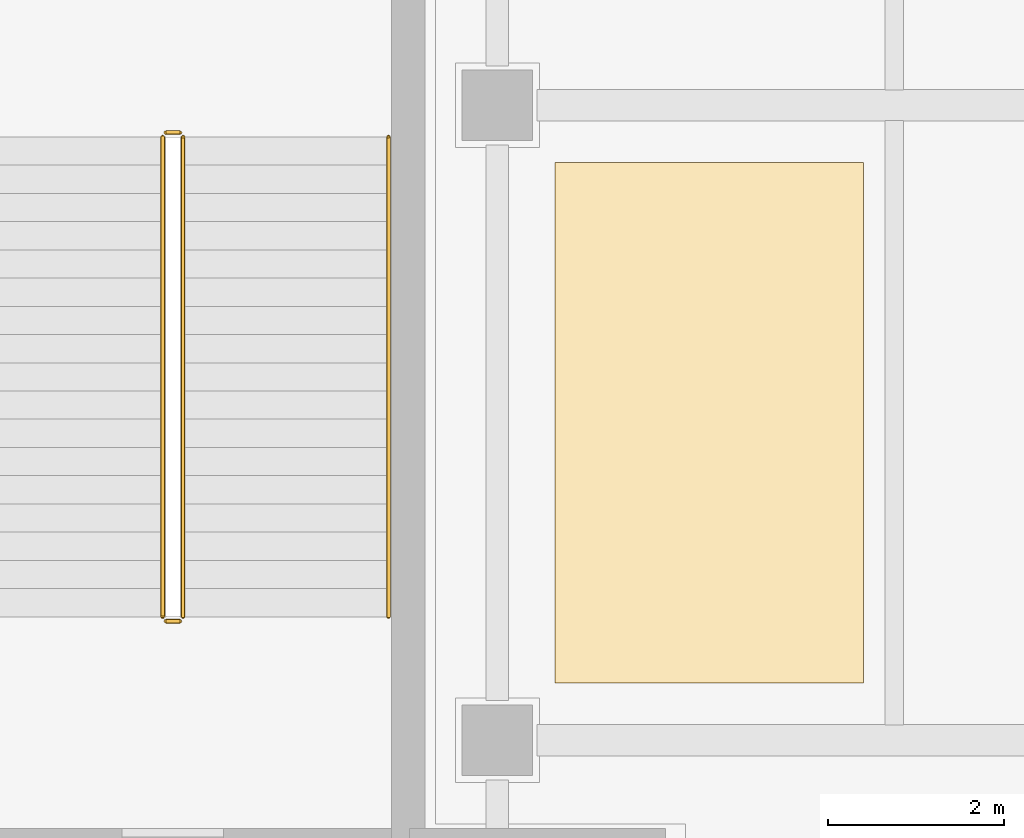
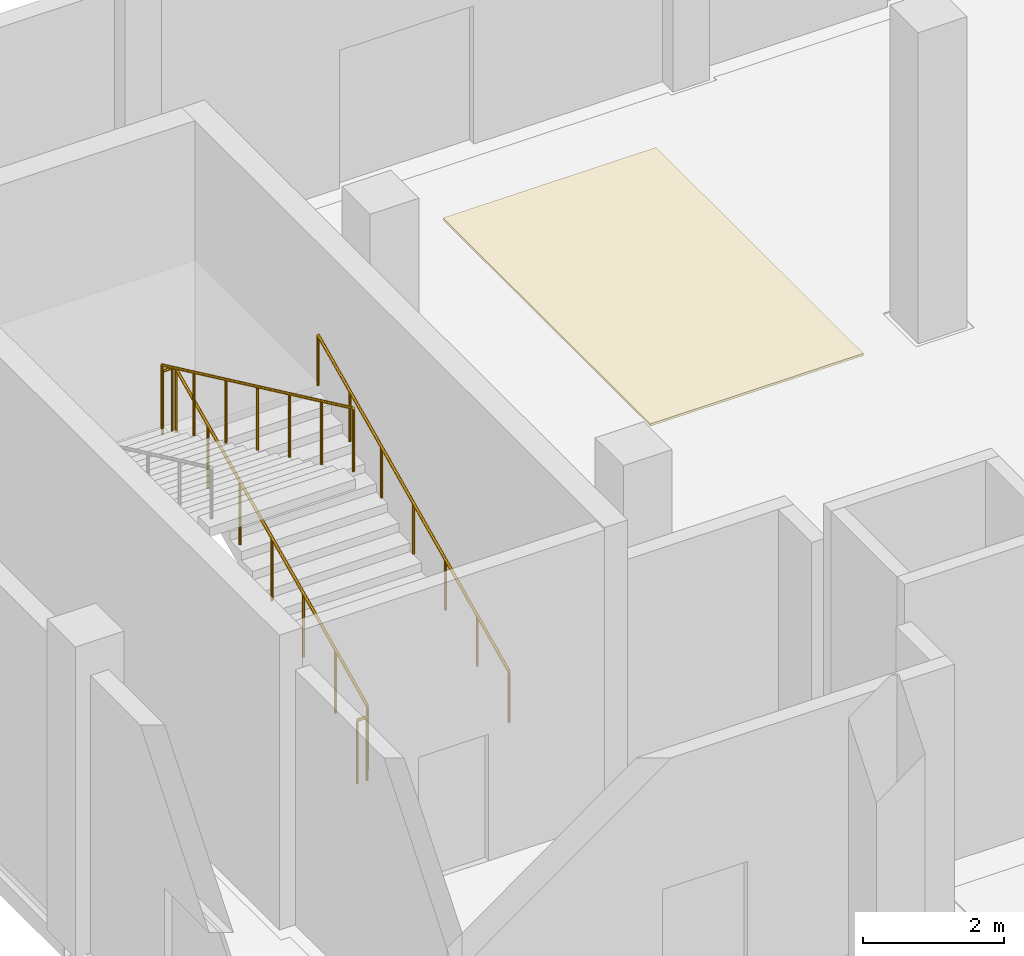
# One storey, part 128 of 137: 5 railings, 1 covering.
"""IFC4 building model written with IfcOpenShell, lengths in metres."""

from ifc_helpers import new_model, si_unit, direction, frame, origin, origin_2d, place, context, subcontext, project, spatial, polyline, circle, outline, extrude, material, layer, layer_set, type_object, element, save


model = new_model("IFC4")

# Units and contexts
model_context = context("Model", 3, precision=1e-05, world=origin(), true_north=direction((0.0, 1.0)))
body_context = subcontext(model_context, "Body", "Model", "MODEL_VIEW")
ifc_project = project(units=[si_unit("LENGTHUNIT", "METRE"), si_unit("AREAUNIT", "SQUARE_METRE"), si_unit("VOLUMEUNIT", "CUBIC_METRE"), si_unit("PLANEANGLEUNIT", "RADIAN"), si_unit("MASSUNIT", "GRAM", prefix="KILO")], contexts=[model_context])

# Site, building, storey
site_placement = place(None, origin())
site = spatial("IfcSite", under=ifc_project, at=site_placement, CompositionType="ELEMENT")
building_placement = place(site_placement, origin())
building = spatial("IfcBuilding", under=site, at=building_placement, Name="Celestram Park Convention Centre", CompositionType="ELEMENT")
storey_placement = place(building_placement, origin())
storey = spatial("IfcBuildingStorey", under=building, at=storey_placement, Name="L00", CompositionType="ELEMENT", Elevation=0.0)

# Covering
ifc_material_1 = material(Name="Perforated Acoustic Mineral-Fibre Baffle Ceiling", Category="gypsum")
ifc_layer_1 = layer(ifc_material_1, 0.0400390625)
ifc_layer_set_1 = layer_set([ifc_layer_1], Name="Perforated Acoustic Mineral-Fibre Baffle Ceiling")
covering_type = type_object("IfcCoveringType", Name="ARC-COV-CLG040", PredefinedType="CEILING", material=ifc_layer_set_1)
covering_placement = place(storey_placement, frame((0.0, 0.0, 5.080078125)))
element("IfcCovering", 1, at=covering_placement, inside=storey, type_object=covering_type, Name="North Elevator Lobby L00 acoustic baffle ceiling", PredefinedType="CEILING", context=body_context, shape_type="SweptSolid", body=[
    extrude(outline(polyline([(45.64990234375, 151.85009765625), (49.14990234375, 151.85009765625), (49.14990234375, 157.75), (45.64990234375, 157.75), (45.64990234375, 151.85009765625)])), origin(), (0.0, 0.0, 1.0), 0.0400390625),
])

# Railings
ifc_material_2 = material(Name="Stainless Steel AISI 316L & Laminated Glass", Category="steel")
ifc_layer_2 = layer(ifc_material_2, 0.06005859375)
ifc_layer_set_2 = layer_set([ifc_layer_2], Name="Stainless Steel AISI 316L & Laminated Glass")
railing_type_1 = type_object("IfcRailingType", Name="ARC-RL-GRD1120", PredefinedType="GUARDRAIL", material=ifc_layer_set_2)
railing_1_placement = place(storey_placement, frame((41.43603515625, 152.60009765625, 0.14990234375)))
element("IfcRailing", 2, at=railing_1_placement, inside=storey, type_object=railing_type_1, Name="L00 ST-01 stair guard 1", PredefinedType="GUARDRAIL", context=body_context, shape_type="SweptSolid", body=[
    extrude(circle(Radius=0.02392578125, at=origin_2d()), frame((0.0, 0.0, 1.09619140625), z_axis=(0.0, 0.90545405566, 0.424444287379), x_axis=(-1.0, 0.0, 0.0)), (0.0, 0.0, 1.0), 6.008056640625),
    extrude(circle(Radius=0.02099609375, at=origin_2d()), origin(), (0.0, 0.0, 1.0), 1.072021484375),
    extrude(circle(Radius=0.02099609375, at=origin_2d()), frame((0.0, 0.90673828125, 0.425048828125)), (0.0, 0.0, 1.0), 1.072021484375),
    extrude(circle(Radius=0.02099609375, at=origin_2d()), frame((0.0, 1.813232421875, 0.85009765625)), (0.0, 0.0, 1.0), 1.072021484375),
    extrude(circle(Radius=0.02099609375, at=origin_2d()), frame((0.0, 2.719970703125, 1.27490234375)), (0.0, 0.0, 1.0), 1.072021484375),
    extrude(circle(Radius=0.02099609375, at=origin_2d()), frame((0.0, 3.626708984375, 1.699951171875)), (0.0, 0.0, 1.0), 1.072021484375),
    extrude(circle(Radius=0.02099609375, at=origin_2d()), frame((0.0, 4.533203125, 2.125)), (0.0, 0.0, 1.0), 1.072021484375),
    extrude(circle(Radius=0.02099609375, at=origin_2d()), frame((0.0, 5.43994140625, 2.550048828125)), (0.0, 0.0, 1.0), 1.072021484375),
])
railing_2_placement = place(storey_placement, frame((41.39990234375, 158.090087890625, 2.699951171875)))
element("IfcRailing", 3, at=railing_2_placement, inside=storey, type_object=railing_type_1, Name="L00 ST-01 stair guard 2", PredefinedType="GUARDRAIL", context=body_context, shape_type="SweptSolid", body=[
    extrude(circle(Radius=0.02392578125, at=origin_2d()), frame((0.0, 0.0, 1.09619140625), z_axis=(-1.0, 0.0, 0.0), x_axis=(0.0, -1.0, 0.0)), (0.0, 0.0, 1.0), 0.159912109375),
    extrude(circle(Radius=0.02099609375, at=origin_2d()), origin(), (0.0, 0.0, 1.0), 1.072021484375),
    extrude(circle(Radius=0.02099609375, at=origin_2d()), frame((-0.159912109375, 0.0, 0.0)), (0.0, 0.0, 1.0), 1.072021484375),
])
railing_3_placement = place(storey_placement, frame((41.2041015625, 158.0400390625, 2.85009765625)))
element("IfcRailing", 4, at=railing_3_placement, inside=storey, type_object=railing_type_1, Name="L00 ST-01 stair guard 3", PredefinedType="GUARDRAIL", context=body_context, shape_type="SweptSolid", body=[
    extrude(circle(Radius=0.02392578125, at=origin_2d()), frame((0.0, 0.0, 1.09619140625), z_axis=(0.0, -0.90546967238, 0.424410971113), x_axis=(1.0, 0.0, 0.0)), (0.0, 0.0, 1.0), 6.0078125),
    extrude(circle(Radius=0.02099609375, at=origin_2d()), origin(), (0.0, 0.0, 1.0), 1.072021484375),
    extrude(circle(Radius=0.02099609375, at=origin_2d()), frame((0.0, -0.90673828125, 0.425048828125)), (0.0, 0.0, 1.0), 1.072021484375),
    extrude(circle(Radius=0.02099609375, at=origin_2d()), frame((0.0, -1.813232421875, 0.849853515625)), (0.0, 0.0, 1.0), 1.072021484375),
    extrude(circle(Radius=0.02099609375, at=origin_2d()), frame((0.0, -2.719970703125, 1.27490234375)), (0.0, 0.0, 1.0), 1.072021484375),
    extrude(circle(Radius=0.02099609375, at=origin_2d()), frame((0.0, -3.626708984375, 1.699951171875)), (0.0, 0.0, 1.0), 1.072021484375),
    extrude(circle(Radius=0.02099609375, at=origin_2d()), frame((0.0, -4.533203125, 2.124755859375)), (0.0, 0.0, 1.0), 1.072021484375),
    extrude(circle(Radius=0.02099609375, at=origin_2d()), frame((0.0, -5.43994140625, 2.5498046875)), (0.0, 0.0, 1.0), 1.072021484375),
])
railing_4_placement = place(storey_placement, frame((41.39990234375, 152.550048828125, 0.0)))
element("IfcRailing", 5, at=railing_4_placement, inside=storey, type_object=railing_type_1, Name="L00 ST-01 stair guard 4", PredefinedType="GUARDRAIL", context=body_context, shape_type="SweptSolid", body=[
    extrude(circle(Radius=0.02392578125, at=origin_2d()), frame((0.0, 0.0, 1.09619140625), z_axis=(-1.0, 0.0, 0.0), x_axis=(0.0, -1.0, 0.0)), (0.0, 0.0, 1.0), 0.159912109375),
    extrude(circle(Radius=0.02099609375, at=origin_2d()), origin(), (0.0, 0.0, 1.0), 1.072021484375),
    extrude(circle(Radius=0.02099609375, at=origin_2d()), frame((-0.159912109375, 0.0, 0.0)), (0.0, 0.0, 1.0), 1.072021484375),
])
ifc_material_3 = material(Name="Brushed Stainless Steel AISI 304", Category="steel")
ifc_layer_3 = layer(ifc_material_3, 0.048095703125)
ifc_layer_set_3 = layer_set([ifc_layer_3], Name="Brushed Stainless Steel AISI 304")
railing_type_2 = type_object("IfcRailingType", Name="ARC-RL-HND915", PredefinedType="HANDRAIL", material=ifc_layer_set_3)
railing_5_placement = place(storey_placement, frame((43.763916015625, 152.60009765625, 0.14990234375)))
element("IfcRailing", 6, at=railing_5_placement, inside=storey, type_object=railing_type_2, Name="L00 ST-01 stair handrail 1", PredefinedType="HANDRAIL", context=body_context, shape_type="SweptSolid", body=[
    extrude(circle(Radius=0.02392578125, at=origin_2d()), frame((0.0, 0.0, 0.8759765625), z_axis=(0.0, 0.90545405566, 0.424444287379), x_axis=(-1.0, 0.0, 0.0)), (0.0, 0.0, 1.0), 6.008056640625),
    extrude(circle(Radius=0.02099609375, at=origin_2d()), origin(), (0.0, 0.0, 1.0), 0.851806640625),
    extrude(circle(Radius=0.02099609375, at=origin_2d()), frame((0.0, 0.90673828125, 0.425048828125)), (0.0, 0.0, 1.0), 0.851806640625),
    extrude(circle(Radius=0.02099609375, at=origin_2d()), frame((0.0, 1.813232421875, 0.85009765625)), (0.0, 0.0, 1.0), 0.851806640625),
    extrude(circle(Radius=0.02099609375, at=origin_2d()), frame((0.0, 2.719970703125, 1.27490234375)), (0.0, 0.0, 1.0), 0.851806640625),
    extrude(circle(Radius=0.02099609375, at=origin_2d()), frame((0.0, 3.626708984375, 1.699951171875)), (0.0, 0.0, 1.0), 0.851806640625),
    extrude(circle(Radius=0.02099609375, at=origin_2d()), frame((0.0, 4.533203125, 2.125)), (0.0, 0.0, 1.0), 0.851806640625),
    extrude(circle(Radius=0.02099609375, at=origin_2d()), frame((0.0, 5.43994140625, 2.550048828125)), (0.0, 0.0, 1.0), 0.851806640625),
])

save(model, "model.ifc")
